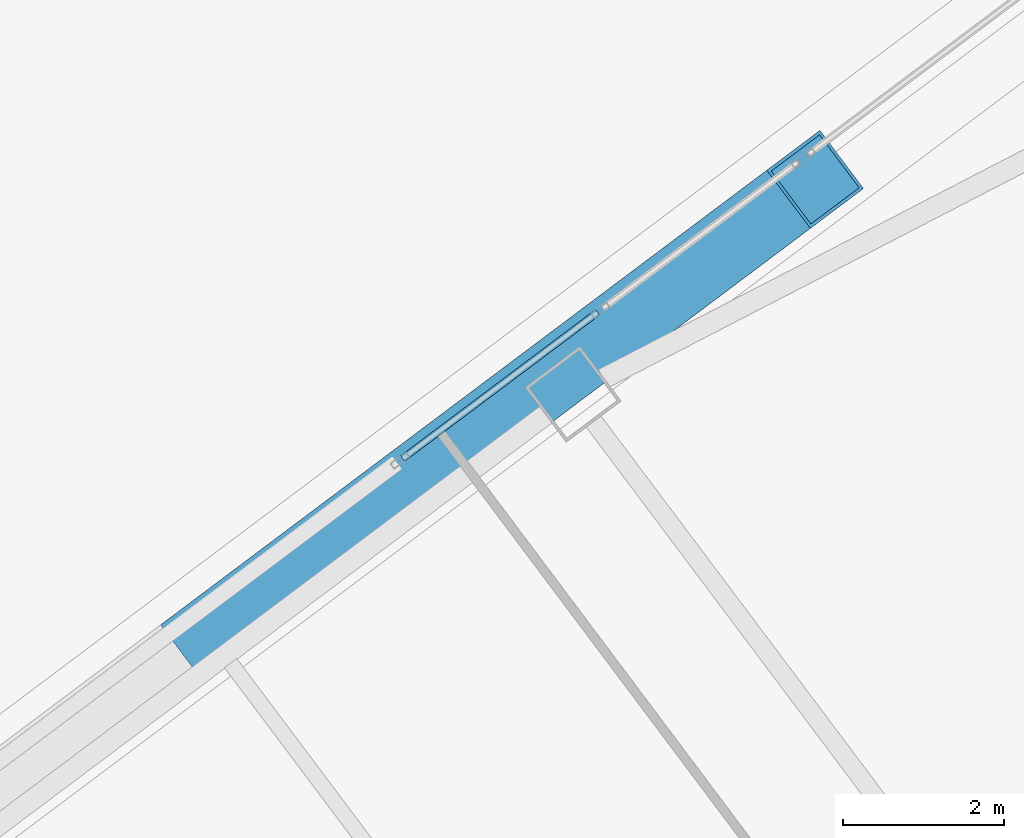
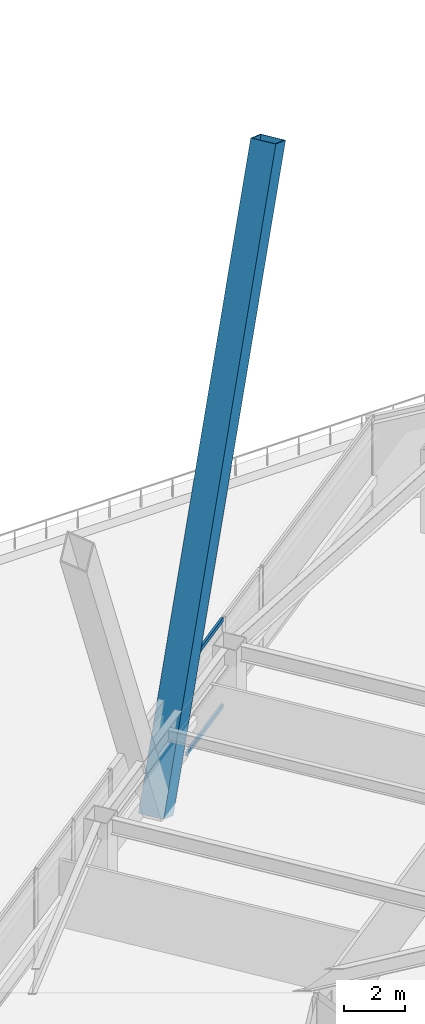
# One storey, part 54 of 83: 3 members, 1 element without a shape of its own.
"""IFC4 building model written with IfcOpenShell, lengths in metres."""

from ifc_helpers import new_model, si_unit, direction, frame, origin, origin_2d, place, context, subcontext, project, spatial, hollow_rectangle, extrude, material, material_profile, profile_set, type_object, element, aggregate, save


model = new_model("IFC4")

# Units and contexts
model_context = context("Model", 3, precision=1e-05, world=origin(), true_north=direction((0.0, 1.0)))
body_context = subcontext(model_context, "Body", "Model", "MODEL_VIEW")
ifc_project = project(units=[si_unit("LENGTHUNIT", "METRE"), si_unit("AREAUNIT", "SQUARE_METRE"), si_unit("VOLUMEUNIT", "CUBIC_METRE"), si_unit("PLANEANGLEUNIT", "RADIAN"), si_unit("MASSUNIT", "GRAM", prefix="KILO")], contexts=[model_context])

# Site, building, storey
site_placement = place(None, origin())
site = spatial("IfcSite", under=ifc_project, at=site_placement, CompositionType="ELEMENT")
building_placement = place(site_placement, origin())
building = spatial("IfcBuilding", under=site, at=building_placement, Name="Tashvorn Skyway Center", CompositionType="ELEMENT")
storey_placement = place(building_placement, frame((0.0, 0.0, 24.60009765625)))
storey = spatial("IfcBuildingStorey", under=building, at=storey_placement, Name="L05", CompositionType="ELEMENT", Elevation=24.60009765625)

# Curtain wall, members
ifc_material_1 = material(Name="Thermally broken bronze-anodized aluminium 6063-T6", Category="aluminium")
curtain_wall_type = type_object("IfcCurtainWallType", Name="CW-CW-Z1", PredefinedType="NOTDEFINED", material=ifc_material_1)
curtain_wall_placement = place(storey_placement, origin())
curtain_wall = element("IfcCurtainWall", 1, at=curtain_wall_placement, inside=storey, type_object=curtain_wall_type, Name="Tower 2 L05 North Unitised Curtain Wall Glazing Group 3", PredefinedType="NOTDEFINED")
ifc_material_profile_1 = material_profile(ifc_material_1, hollow_rectangle(XDim=0.0849609375, YDim=0.1650390625, WallThickness=0.0048828125, at=origin_2d()), Name="ALU-TRAN-85x165")
ifc_profile_set_1 = profile_set([ifc_material_profile_1], Name="Thermally broken bronze-anodized aluminium 6063-T6")
member_type_1 = type_object("IfcMemberType", Name="CWT-CW-Z1", PredefinedType="USERDEFINED", material=ifc_profile_set_1)
member_1_placement = place(storey_placement, frame((103.577392578125, 51.282958984375, 0.04248046875), z_axis=(0.799990296182, 0.600012938206, 0.0), x_axis=(-0.600012938206, 0.799990296182, 0.0)))
member_1 = element("IfcMember", 2, at=member_1_placement, type_object=member_type_1, Name="CW-Z1 transom 1.1", ObjectType="TRANSOM", PredefinedType="USERDEFINED", context=body_context, shape_type="SweptSolid", body=[
    extrude(hollow_rectangle(XDim=0.0849609375, YDim=0.1650390625, WallThickness=0.0048828125, at=origin_2d()), origin(), (0.0, 0.0, 1.0), 3.01904296875),
])
member_2_placement = place(storey_placement, frame((103.577392578125, 51.282958984375, 3.50732421875), z_axis=(0.799990296182, 0.600012938206, 0.0), x_axis=(-0.600012938206, 0.799990296182, 0.0)))
member_2 = element("IfcMember", 3, at=member_2_placement, type_object=member_type_1, Name="CW-Z1 transom 1.2", ObjectType="TRANSOM", PredefinedType="USERDEFINED", context=body_context, shape_type="SweptSolid", body=[
    extrude(hollow_rectangle(XDim=0.0849609375, YDim=0.1650390625, WallThickness=0.0048828125, at=origin_2d()), origin(), (0.0, 0.0, 1.0), 3.01904296875),
])
aggregate(curtain_wall, [member_1, member_2])

# Member
ifc_material_2 = material(Name="Steel ASTM A572 Grade 50", Category="steel")
ifc_material_profile_2 = material_profile(ifc_material_2, hollow_rectangle(XDim=0.89990234375, YDim=0.89990234375, WallThickness=0.0400390625, at=origin_2d()), Name="BOX900x900x40")
ifc_profile_set_2 = profile_set([ifc_material_profile_2], Name="Steel ASTM A572 Grade 50")
member_type_2 = type_object("IfcMemberType", Name="MEM-MB-900", PredefinedType="BRACE", material=ifc_profile_set_2)
member_3_placement = place(storey_placement, frame((101.172119140625, 49.10400390625, -0.22021484375), z_axis=(0.3259307485, 0.244450706831, 0.91324312158), x_axis=(-0.600004155685, 0.799996883219, 0.0)))
element("IfcMember", 4, at=member_3_placement, inside=storey, type_object=member_type_2, Name="Tower 2 Zone 1 N Chevron Mega-Brace L1", PredefinedType="BRACE", context=body_context, shape_type="SweptSolid", body=[
    extrude(hollow_rectangle(XDim=0.89990234375, YDim=0.89990234375, WallThickness=0.0400390625, at=origin_2d()), origin(), (0.0, 0.0, 1.0), 23.07177734375),
])

save(model, "model.ifc")
